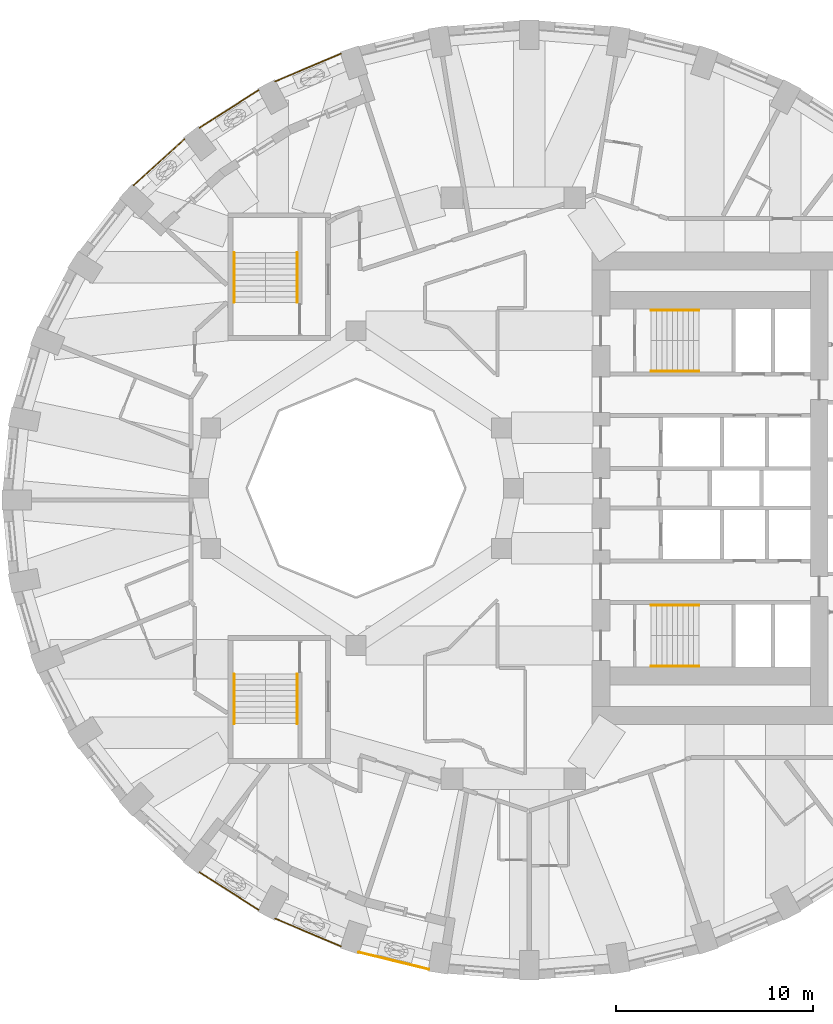
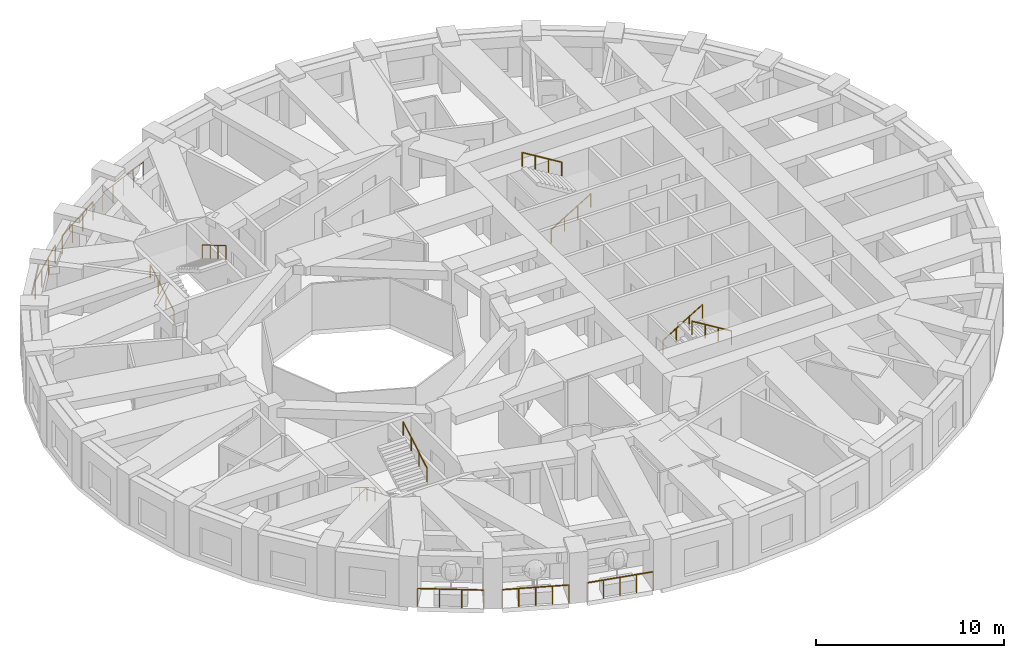
# One storey, part 10 of 12: 14 railings.
"""IFC4 building model written with IfcOpenShell, lengths in metres."""

from ifc_helpers import new_model, si_unit, direction, frame, origin, origin_2d, place, context, subcontext, project, spatial, circle, extrude, material, type_object, element, save


model = new_model("IFC4")

# Units and contexts
model_context = context("Model", 3, precision=1e-05, world=origin(), true_north=direction((0.0, 1.0)))
body_context = subcontext(model_context, "Body", "Model", "MODEL_VIEW")
ifc_project = project(units=[si_unit("LENGTHUNIT", "METRE"), si_unit("AREAUNIT", "SQUARE_METRE"), si_unit("VOLUMEUNIT", "CUBIC_METRE"), si_unit("PLANEANGLEUNIT", "RADIAN"), si_unit("MASSUNIT", "GRAM", prefix="KILO")], contexts=[model_context])

# Site, building, storey
site_placement = place(None, origin())
site = spatial("IfcSite", under=ifc_project, at=site_placement, CompositionType="ELEMENT")
building_placement = place(site_placement, origin())
building = spatial("IfcBuilding", under=site, at=building_placement, Name="Taillehof Tower", CompositionType="ELEMENT")
storey_placement = place(building_placement, frame((0.0, 0.0, 125.199951171875)))
storey = spatial("IfcBuildingStorey", under=building, at=storey_placement, Name="L35", CompositionType="ELEMENT", Elevation=125.199951171875)

# Railings
ifc_material_1 = material(Name="Stainless steel balustrade", Category="steel")
railing_type_1 = type_object("IfcRailingType", Name="Balcony guard 1200", PredefinedType="GUARDRAIL", material=ifc_material_1)
railing_1_placement = place(storey_placement, frame((-15.956787109375, -19.523681640625, 0.0)))
element("IfcRailing", 1, at=railing_1_placement, inside=storey, type_object=railing_type_1, Name="Balcony guard L35 bay 24", PredefinedType="GUARDRAIL", context=body_context, shape_type="SweptSolid", body=[
    extrude(circle(Radius=0.02392578125, at=origin_2d()), frame((0.0, 0.0, 1.17578125), z_axis=(0.843912711069, -0.536480508589, 0.0), x_axis=(0.536480508589, 0.843912711069, 0.0)), (0.0, 0.0, 1.0), 3.56005859375),
    extrude(circle(Radius=0.02099609375, at=origin_2d()), origin(), (0.0, 0.0, 1.0), 1.15185546875),
    extrude(circle(Radius=0.02099609375, at=origin_2d()), frame((1.00146484375, -0.63671875, 0.0)), (0.0, 0.0, 1.0), 1.15185546875),
    extrude(circle(Radius=0.02099609375, at=origin_2d()), frame((2.0029296875, -1.273193359375, 0.0)), (0.0, 0.0, 1.0), 1.15185546875),
    extrude(circle(Radius=0.02099609375, at=origin_2d()), frame((3.00439453125, -1.909912109375, 0.0)), (0.0, 0.0, 1.0), 1.15185546875),
])
railing_2_placement = place(storey_placement, frame((-12.102294921875, -21.8798828125, 0.0)))
element("IfcRailing", 2, at=railing_2_placement, inside=storey, type_object=railing_type_1, Name="Balcony guard L35 bay 25", PredefinedType="GUARDRAIL", context=body_context, shape_type="SweptSolid", body=[
    extrude(circle(Radius=0.02392578125, at=origin_2d()), frame((0.0, 0.0, 1.17578125), z_axis=(0.920860132176, -0.389893084024, 0.0), x_axis=(0.389893084024, 0.920860132176, 0.0)), (0.0, 0.0, 1.0), 3.61865234375),
    extrude(circle(Radius=0.02099609375, at=origin_2d()), origin(), (0.0, 0.0, 1.0), 1.15185546875),
    extrude(circle(Radius=0.02099609375, at=origin_2d()), frame((0.8330078125, -0.352783203125, 0.0)), (0.0, 0.0, 1.0), 1.15185546875),
    extrude(circle(Radius=0.02099609375, at=origin_2d()), frame((1.666015625, -0.70556640625, 0.0)), (0.0, 0.0, 1.0), 1.15185546875),
    extrude(circle(Radius=0.02099609375, at=origin_2d()), frame((2.499267578125, -1.05810546875, 0.0)), (0.0, 0.0, 1.0), 1.15185546875),
    extrude(circle(Radius=0.02099609375, at=origin_2d()), frame((3.332275390625, -1.410888671875, 0.0)), (0.0, 0.0, 1.0), 1.15185546875),
])
railing_3_placement = place(storey_placement, frame((-7.858642578125, -23.59228515625, 0.0)))
element("IfcRailing", 3, at=railing_3_placement, inside=storey, type_object=railing_type_1, Name="Balcony guard L35 bay 26", PredefinedType="GUARDRAIL", context=body_context, shape_type="SweptSolid", body=[
    extrude(circle(Radius=0.02392578125, at=origin_2d()), frame((0.0, 0.0, 1.17578125), z_axis=(0.97164897724, -0.23642813925, 0.0), x_axis=(0.23642813925, 0.97164897724, 0.0)), (0.0, 0.0, 1.0), 3.66162109375),
    extrude(circle(Radius=0.02099609375, at=origin_2d()), origin(), (0.0, 0.0, 1.0), 1.15185546875),
    extrude(circle(Radius=0.02099609375, at=origin_2d()), frame((0.889404296875, -0.21630859375, 0.0)), (0.0, 0.0, 1.0), 1.15185546875),
    extrude(circle(Radius=0.02099609375, at=origin_2d()), frame((1.77880859375, -0.432861328125, 0.0)), (0.0, 0.0, 1.0), 1.15185546875),
    extrude(circle(Radius=0.02099609375, at=origin_2d()), frame((2.66845703125, -0.6494140625, 0.0)), (0.0, 0.0, 1.0), 1.15185546875),
    extrude(circle(Radius=0.02099609375, at=origin_2d()), frame((3.557861328125, -0.86572265625, 0.0)), (0.0, 0.0, 1.0), 1.15185546875),
])
railing_4_placement = place(storey_placement, frame((-8.77001953125, 22.0908203125, 0.0)))
element("IfcRailing", 4, at=railing_4_placement, inside=storey, type_object=railing_type_1, Name="Balcony guard L35 bay 12", PredefinedType="GUARDRAIL", context=body_context, shape_type="SweptSolid", body=[
    extrude(circle(Radius=0.02392578125, at=origin_2d()), frame((0.0, 0.0, 1.17578125), z_axis=(-0.920860132176, -0.389893084024, 0.0), x_axis=(0.389893084024, -0.920860132176, 0.0)), (0.0, 0.0, 1.0), 3.61865234375),
    extrude(circle(Radius=0.02099609375, at=origin_2d()), origin(), (0.0, 0.0, 1.0), 1.15185546875),
    extrude(circle(Radius=0.02099609375, at=origin_2d()), frame((-0.8330078125, -0.352783203125, 0.0)), (0.0, 0.0, 1.0), 1.15185546875),
    extrude(circle(Radius=0.02099609375, at=origin_2d()), frame((-1.666015625, -0.70556640625, 0.0)), (0.0, 0.0, 1.0), 1.15185546875),
    extrude(circle(Radius=0.02099609375, at=origin_2d()), frame((-2.499267578125, -1.05810546875, 0.0)), (0.0, 0.0, 1.0), 1.15185546875),
    extrude(circle(Radius=0.02099609375, at=origin_2d()), frame((-3.332275390625, -1.410888671875, 0.0)), (0.0, 0.0, 1.0), 1.15185546875),
])
railing_5_placement = place(storey_placement, frame((-12.952392578125, 20.233642578125, 0.0)))
element("IfcRailing", 5, at=railing_5_placement, inside=storey, type_object=railing_type_1, Name="Balcony guard L35 bay 13", PredefinedType="GUARDRAIL", context=body_context, shape_type="SweptSolid", body=[
    extrude(circle(Radius=0.02392578125, at=origin_2d()), frame((0.0, 0.0, 1.17578125), z_axis=(-0.843881662908, -0.536529345896, 0.0), x_axis=(0.536529345896, -0.843881662908, 0.0)), (0.0, 0.0, 1.0), 3.560302734375),
    extrude(circle(Radius=0.02099609375, at=origin_2d()), origin(), (0.0, 0.0, 1.0), 1.15185546875),
    extrude(circle(Radius=0.02099609375, at=origin_2d()), frame((-1.00146484375, -0.63671875, 0.0)), (0.0, 0.0, 1.0), 1.15185546875),
    extrude(circle(Radius=0.02099609375, at=origin_2d()), frame((-2.0029296875, -1.2734375, 0.0)), (0.0, 0.0, 1.0), 1.15185546875),
    extrude(circle(Radius=0.02099609375, at=origin_2d()), frame((-3.00439453125, -1.91015625, 0.0)), (0.0, 0.0, 1.0), 1.15185546875),
])
railing_6_placement = place(storey_placement, frame((-16.719970703125, 17.7412109375, 0.0)))
element("IfcRailing", 6, at=railing_6_placement, inside=storey, type_object=railing_type_1, Name="Balcony guard L35 bay 14", PredefinedType="GUARDRAIL", context=body_context, shape_type="SweptSolid", body=[
    extrude(circle(Radius=0.02392578125, at=origin_2d()), frame((0.0, 0.0, 1.17578125), z_axis=(-0.740360582387, -0.672209943431, 0.0), x_axis=(0.672209943431, -0.740360582387, 0.0)), (0.0, 0.0, 1.0), 3.492919921875),
    extrude(circle(Radius=0.02099609375, at=origin_2d()), origin(), (0.0, 0.0, 1.0), 1.15185546875),
    extrude(circle(Radius=0.02099609375, at=origin_2d()), frame((-0.862060546875, -0.78271484375, 0.0)), (0.0, 0.0, 1.0), 1.15185546875),
    extrude(circle(Radius=0.02099609375, at=origin_2d()), frame((-1.723876953125, -1.565185546875, 0.0)), (0.0, 0.0, 1.0), 1.15185546875),
    extrude(circle(Radius=0.02099609375, at=origin_2d()), frame((-2.5859375, -2.347900390625, 0.0)), (0.0, 0.0, 1.0), 1.15185546875),
])
ifc_material_2 = material(Name="Stainless steel", Category="steel")
railing_type_2 = type_object("IfcRailingType", Name="Stair handrail 900", PredefinedType="HANDRAIL", material=ifc_material_2)
railing_7_placement = place(storey_placement, frame((7.0, 5.949951171875, 0.1650390625)))
element("IfcRailing", 7, at=railing_7_placement, inside=storey, type_object=railing_type_2, Name="Stair S1 handrail", PredefinedType="HANDRAIL", context=body_context, shape_type="SweptSolid", body=[
    extrude(circle(Radius=0.02392578125, at=origin_2d()), frame((0.0, 0.0, 0.8759765625), z_axis=(0.853258522278, 0.0, 0.521488153423), x_axis=(0.0, 1.0, 0.0)), (0.0, 0.0, 1.0), 2.847900390625),
    extrude(circle(Radius=0.02099609375, at=origin_2d()), origin(), (0.0, 0.0, 1.0), 0.851806640625),
    extrude(circle(Radius=0.02099609375, at=origin_2d()), frame((0.81005859375, 0.0, 0.4951171875)), (0.0, 0.0, 1.0), 0.851806640625),
    extrude(circle(Radius=0.02099609375, at=origin_2d()), frame((1.619873046875, 0.0, 0.989990234375)), (0.0, 0.0, 1.0), 0.851806640625),
    extrude(circle(Radius=0.02099609375, at=origin_2d()), frame((2.429931640625, 0.0, 1.485107421875)), (0.0, 0.0, 1.0), 0.851806640625),
])
railing_8_placement = place(storey_placement, frame((9.429931640625, 9.050048828125, 1.81494140625)))
element("IfcRailing", 8, at=railing_8_placement, inside=storey, type_object=railing_type_2, Name="Stair S1 handrail", PredefinedType="HANDRAIL", context=body_context, shape_type="SweptSolid", body=[
    extrude(circle(Radius=0.02392578125, at=origin_2d()), frame((0.0, 0.0, 0.8759765625), z_axis=(-0.853258522278, 0.0, 0.521488153423), x_axis=(0.0, -1.0, 0.0)), (0.0, 0.0, 1.0), 2.847900390625),
    extrude(circle(Radius=0.02099609375, at=origin_2d()), origin(), (0.0, 0.0, 1.0), 0.851806640625),
    extrude(circle(Radius=0.02099609375, at=origin_2d()), frame((-0.81005859375, 0.0, 0.4951171875)), (0.0, 0.0, 1.0), 0.851806640625),
    extrude(circle(Radius=0.02099609375, at=origin_2d()), frame((-1.619873046875, 0.0, 0.989990234375)), (0.0, 0.0, 1.0), 0.851806640625),
    extrude(circle(Radius=0.02099609375, at=origin_2d()), frame((-2.429931640625, 0.0, 1.485107421875)), (0.0, 0.0, 1.0), 0.851806640625),
])
railing_9_placement = place(storey_placement, frame((7.0, -5.949951171875, 0.1650390625)))
element("IfcRailing", 9, at=railing_9_placement, inside=storey, type_object=railing_type_2, Name="Stair S2 handrail", PredefinedType="HANDRAIL", context=body_context, shape_type="SweptSolid", body=[
    extrude(circle(Radius=0.02392578125, at=origin_2d()), frame((0.0, 0.0, 0.8759765625), z_axis=(0.853258522278, 0.0, 0.521488153423), x_axis=(0.0, 1.0, 0.0)), (0.0, 0.0, 1.0), 2.847900390625),
    extrude(circle(Radius=0.02099609375, at=origin_2d()), origin(), (0.0, 0.0, 1.0), 0.851806640625),
    extrude(circle(Radius=0.02099609375, at=origin_2d()), frame((0.81005859375, 0.0, 0.4951171875)), (0.0, 0.0, 1.0), 0.851806640625),
    extrude(circle(Radius=0.02099609375, at=origin_2d()), frame((1.619873046875, 0.0, 0.989990234375)), (0.0, 0.0, 1.0), 0.851806640625),
    extrude(circle(Radius=0.02099609375, at=origin_2d()), frame((2.429931640625, 0.0, 1.485107421875)), (0.0, 0.0, 1.0), 0.851806640625),
])
railing_10_placement = place(storey_placement, frame((9.429931640625, -9.050048828125, 1.81494140625)))
element("IfcRailing", 10, at=railing_10_placement, inside=storey, type_object=railing_type_2, Name="Stair S2 handrail", PredefinedType="HANDRAIL", context=body_context, shape_type="SweptSolid", body=[
    extrude(circle(Radius=0.02392578125, at=origin_2d()), frame((0.0, 0.0, 0.8759765625), z_axis=(-0.853258522278, 0.0, 0.521488153423), x_axis=(0.0, -1.0, 0.0)), (0.0, 0.0, 1.0), 2.847900390625),
    extrude(circle(Radius=0.02099609375, at=origin_2d()), origin(), (0.0, 0.0, 1.0), 0.851806640625),
    extrude(circle(Radius=0.02099609375, at=origin_2d()), frame((-0.81005859375, 0.0, 0.4951171875)), (0.0, 0.0, 1.0), 0.851806640625),
    extrude(circle(Radius=0.02099609375, at=origin_2d()), frame((-1.619873046875, 0.0, 0.989990234375)), (0.0, 0.0, 1.0), 0.851806640625),
    extrude(circle(Radius=0.02099609375, at=origin_2d()), frame((-2.429931640625, 0.0, 1.485107421875)), (0.0, 0.0, 1.0), 0.851806640625),
])
railing_11_placement = place(storey_placement, frame((-14.199951171875, 9.449951171875, 0.1650390625)))
element("IfcRailing", 11, at=railing_11_placement, inside=storey, type_object=railing_type_2, Name="Stair S3 handrail", PredefinedType="HANDRAIL", context=body_context, shape_type="SweptSolid", body=[
    extrude(circle(Radius=0.02392578125, at=origin_2d()), frame((0.0, 0.0, 0.8759765625), z_axis=(0.0, 0.86152411907, 0.507716645641), x_axis=(-1.0, 0.0, 0.0)), (0.0, 0.0, 1.0), 2.925048828125),
    extrude(circle(Radius=0.02099609375, at=origin_2d()), origin(), (0.0, 0.0, 1.0), 0.851806640625),
    extrude(circle(Radius=0.02099609375, at=origin_2d()), frame((0.0, 0.840087890625, 0.4951171875)), (0.0, 0.0, 1.0), 0.851806640625),
    extrude(circle(Radius=0.02099609375, at=origin_2d()), frame((0.0, 1.679931640625, 0.989990234375)), (0.0, 0.0, 1.0), 0.851806640625),
    extrude(circle(Radius=0.02099609375, at=origin_2d()), frame((0.0, 2.52001953125, 1.485107421875)), (0.0, 0.0, 1.0), 0.851806640625),
])
for number, where, name in (
    (12, (-11.0, 11.969970703125, 1.81494140625), "Stair S3 handrail"),
    (13, (-14.199951171875, -9.449951171875, 0.1650390625), "Stair S4 handrail"),
):
    element("IfcRailing", number, at=place(storey_placement, frame(where)), inside=storey, type_object=railing_type_2, Name=name, PredefinedType="HANDRAIL", context=body_context, shape_type="SweptSolid", body=[
        extrude(circle(Radius=0.02392578125, at=origin_2d()), frame((0.0, 0.0, 0.8759765625), z_axis=(0.0, -0.86152411907, 0.507716645641), x_axis=(1.0, 0.0, 0.0)), (0.0, 0.0, 1.0), 2.925048828125),
        extrude(circle(Radius=0.02099609375, at=origin_2d()), origin(), (0.0, 0.0, 1.0), 0.851806640625),
        extrude(circle(Radius=0.02099609375, at=origin_2d()), frame((0.0, -0.840087890625, 0.4951171875)), (0.0, 0.0, 1.0), 0.851806640625),
        extrude(circle(Radius=0.02099609375, at=origin_2d()), frame((0.0, -1.679931640625, 0.989990234375)), (0.0, 0.0, 1.0), 0.851806640625),
        extrude(circle(Radius=0.02099609375, at=origin_2d()), frame((0.0, -2.52001953125, 1.485107421875)), (0.0, 0.0, 1.0), 0.851806640625),
    ])
railing_12_placement = place(storey_placement, frame((-11.0, -11.969970703125, 1.81494140625)))
element("IfcRailing", 14, at=railing_12_placement, inside=storey, type_object=railing_type_2, Name="Stair S4 handrail", PredefinedType="HANDRAIL", context=body_context, shape_type="SweptSolid", body=[
    extrude(circle(Radius=0.02392578125, at=origin_2d()), frame((0.0, 0.0, 0.8759765625), z_axis=(0.0, 0.86152411907, 0.507716645641), x_axis=(-1.0, 0.0, 0.0)), (0.0, 0.0, 1.0), 2.925048828125),
    extrude(circle(Radius=0.02099609375, at=origin_2d()), origin(), (0.0, 0.0, 1.0), 0.851806640625),
    extrude(circle(Radius=0.02099609375, at=origin_2d()), frame((0.0, 0.840087890625, 0.4951171875)), (0.0, 0.0, 1.0), 0.851806640625),
    extrude(circle(Radius=0.02099609375, at=origin_2d()), frame((0.0, 1.679931640625, 0.989990234375)), (0.0, 0.0, 1.0), 0.851806640625),
    extrude(circle(Radius=0.02099609375, at=origin_2d()), frame((0.0, 2.52001953125, 1.485107421875)), (0.0, 0.0, 1.0), 0.851806640625),
])

save(model, "model.ifc")
